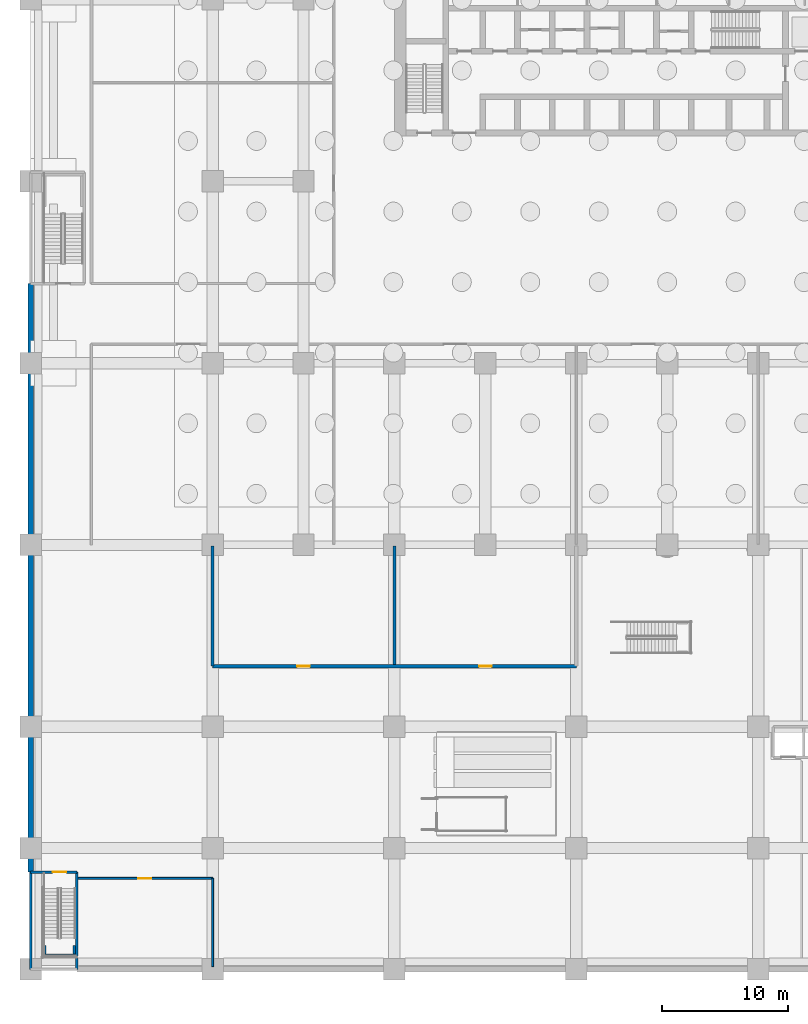
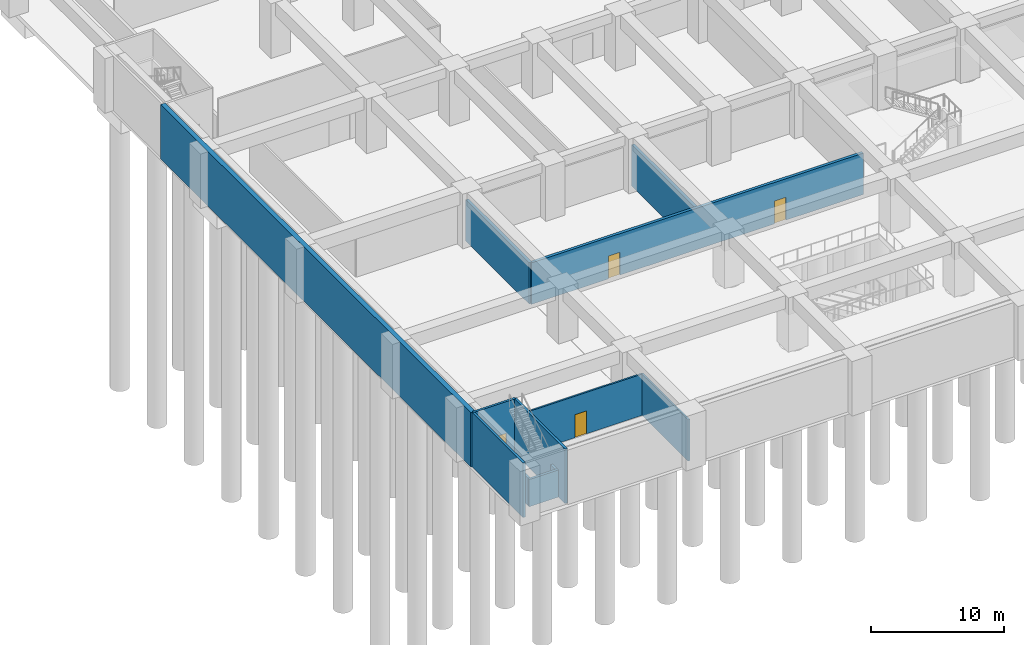
# One storey, part 3 of 20: 12 walls, 4 doors, 4 openings.
"""IFC4 building model written with IfcOpenShell, lengths in metres."""

from ifc_helpers import new_model, si_unit, direction, frame, frame_2d, origin, place, context, subcontext, project, spatial, rectangle, extrude, material, layer, layer_set, type_object, element, fill, save


model = new_model("IFC4")

# Units and contexts
model_context = context("Model", 3, precision=1e-05, world=origin(), true_north=direction((0.0, 1.0)))
body_context = subcontext(model_context, "Body", "Model", "MODEL_VIEW")
ifc_project = project(units=[si_unit("LENGTHUNIT", "METRE"), si_unit("AREAUNIT", "SQUARE_METRE"), si_unit("VOLUMEUNIT", "CUBIC_METRE"), si_unit("PLANEANGLEUNIT", "RADIAN"), si_unit("MASSUNIT", "GRAM", prefix="KILO")], contexts=[model_context])

# Site, building, storey
site_placement = place(None, origin())
site = spatial("IfcSite", under=ifc_project, at=site_placement, CompositionType="ELEMENT")
building_placement = place(site_placement, origin())
building = spatial("IfcBuilding", under=site, at=building_placement, Name="Saffron Iwan Residences", CompositionType="ELEMENT")
storey_placement = place(building_placement, frame((0.0, 0.0, -5.39990234375)))
storey = spatial("IfcBuildingStorey", under=building, at=storey_placement, Name="B1", CompositionType="ELEMENT", Elevation=-5.39990234375)

# Wall
ifc_material_1 = material(Name="Concrete C40/50", Category="concrete")
ifc_layer_1 = layer(ifc_material_1, 0.39990234375)
ifc_layer_set_1 = layer_set([ifc_layer_1], Name="Concrete C40/50")
wall_type_1 = type_object("IfcWallType", Name="Basement wall 400", PredefinedType="SOLIDWALL", material=ifc_layer_set_1)
wall_1_placement = place(storey_placement, frame((0.0, 7.699951171875, 0.0), z_axis=(0.0, 0.0, 1.0), x_axis=(0.0, 1.0, 0.0)))
element("IfcWall", 1, at=wall_1_placement, inside=storey, type_object=wall_type_1, Name="W-B1-024", PredefinedType="SOLIDWALL", context=body_context, shape_type="SweptSolid", body=[
    extrude(rectangle(XDim=46.60009765625, YDim=0.39990234375, at=frame_2d((23.300048828125, 0.0))), origin(), (0.0, 0.0, 1.0), 5.0),
])

# Wall, opening, door
ifc_material_2 = material(Name="Concrete blockwork", Category="masonry")
ifc_layer_2 = layer(ifc_material_2, 0.14990234375)
ifc_layer_set_2 = layer_set([ifc_layer_2], Name="Concrete blockwork")
wall_type_2 = type_object("IfcWallType", Name="Blockwork partition 150", PredefinedType="PARTITIONING", material=ifc_layer_set_2)
wall_2_placement = place(storey_placement, frame((3.75, 7.199951171875, 0.0), z_axis=(0.0, 0.0, 1.0), x_axis=(1.0, 0.0, 0.0)))
wall_2 = element("IfcWall", 2, at=wall_2_placement, inside=storey, type_object=wall_type_2, Name="W-B1-004", PredefinedType="PARTITIONING", context=body_context, shape_type="SweptSolid", body=[
    extrude(rectangle(XDim=10.64990234375, YDim=0.14990234375, at=frame_2d((5.324951171875, 0.0))), origin(), (0.0, 0.0, 1.0), 3.7998046875),
])
opening_1_placement = place(wall_2_placement, frame((4.77490234375, 0.0, 0.0)))
opening_1 = element("IfcOpeningElement", 3, at=opening_1_placement, cuts=wall_2, Name="Opening B1.03", PredefinedType="OPENING", context=body_context, shape_type="SweptSolid", body=[
    extrude(rectangle(XDim=1.0, YDim=2.10009765625, at=frame_2d((0.5, 1.050048828125))), frame((0.0, 0.0849609375, 0.0), z_axis=(0.0, -1.0, 0.0), x_axis=(1.0, 0.0, 0.0)), (0.0, 0.0, 1.0), 0.169921875),
])
ifc_material_3 = material(Name="Steel", Category="steel")
door_type_1 = type_object("IfcDoorType", Name="Fire door 1000x2100", OperationType="NOTDEFINED", PredefinedType="DOOR", material=ifc_material_3)
door_1_placement = place(opening_1_placement, origin())
door_1 = element("IfcDoor", 4, at=door_1_placement, inside=storey, type_object=door_type_1, Name="D-B1-003", OperationType="SINGLE_SWING_LEFT", OverallHeight=2.10009765625, OverallWidth=1.0, PredefinedType="DOOR", context=body_context, shape_type="SweptSolid", body=[
    extrude(rectangle(XDim=1.0, YDim=2.10009765625, at=frame_2d((0.5, 1.050048828125))), frame((0.0, 0.02490234375, 0.0), z_axis=(0.0, -1.0, 0.0), x_axis=(1.0, 0.0, 0.0)), (0.0, 0.0, 1.0), 0.050048828125),
])
fill(opening_1, door_1)

# Wall
wall_3_placement = place(storey_placement, frame((14.39990234375, 0.199951171875, 0.0), z_axis=(0.0, 0.0, 1.0), x_axis=(0.0, 1.0, 0.0)))
element("IfcWall", 5, at=wall_3_placement, inside=storey, type_object=wall_type_2, Name="W-B1-031", PredefinedType="PARTITIONING", context=body_context, shape_type="SweptSolid", body=[
    extrude(rectangle(XDim=7.0, YDim=0.14990234375, at=frame_2d((3.5, 0.0))), origin(), (0.0, 0.0, 1.0), 3.7998046875),
])

# Wall, openings, doors
ifc_layer_3 = layer(ifc_material_1, 0.25)
ifc_layer_set_3 = layer_set([ifc_layer_3], Name="Concrete C40/50")
wall_type_3 = type_object("IfcWallType", Name="Fire compartment wall 250", PredefinedType="SOLIDWALL", material=ifc_layer_set_3)
wall_4_placement = place(storey_placement, frame((14.39990234375, 24.0, 0.0), z_axis=(0.0, 0.0, 1.0), x_axis=(1.0, 0.0, 0.0)))
wall_4 = element("IfcWall", 6, at=wall_4_placement, inside=storey, type_object=wall_type_3, Name="W-B1-010", PredefinedType="SOLIDWALL", context=body_context, shape_type="SweptSolid", body=[
    extrude(rectangle(XDim=28.800048828125, YDim=0.25, at=frame_2d((14.39990234375, 0.0))), origin(), (0.0, 0.0, 1.0), 3.7998046875),
])
opening_2_placement = place(wall_4_placement, frame((6.699951171875, 0.0, 0.0)))
opening_2 = element("IfcOpeningElement", 7, at=opening_2_placement, cuts=wall_4, Name="Opening B1.05", PredefinedType="OPENING", context=body_context, shape_type="SweptSolid", body=[
    extrude(rectangle(XDim=1.0, YDim=2.10009765625, at=frame_2d((0.5, 1.050048828125))), frame((0.0, 0.135009765625, 0.0), z_axis=(0.0, -1.0, 0.0), x_axis=(1.0, 0.0, 0.0)), (0.0, 0.0, 1.0), 0.27001953125),
])
opening_3_placement = place(wall_4_placement, frame((21.10009765625, 0.0, 0.0)))
opening_3 = element("IfcOpeningElement", 8, at=opening_3_placement, cuts=wall_4, Name="Opening B1.06", PredefinedType="OPENING", context=body_context, shape_type="SweptSolid", body=[
    extrude(rectangle(XDim=1.0, YDim=2.10009765625, at=frame_2d((0.5, 1.050048828125))), frame((0.0, 0.135009765625, 0.0), z_axis=(0.0, -1.0, 0.0), x_axis=(1.0, 0.0, 0.0)), (0.0, 0.0, 1.0), 0.27001953125),
])
ifc_material_4 = material(Name="Timber", Category="wood")
door_type_2 = type_object("IfcDoorType", Name="Door 1000x2100", OperationType="NOTDEFINED", PredefinedType="DOOR", material=ifc_material_4)
door_2_placement = place(opening_2_placement, origin())
door_2 = element("IfcDoor", 9, at=door_2_placement, inside=storey, type_object=door_type_2, Name="D-B1-005", OperationType="SINGLE_SWING_LEFT", OverallHeight=2.10009765625, OverallWidth=1.0, PredefinedType="DOOR", context=body_context, shape_type="SweptSolid", body=[
    extrude(rectangle(XDim=1.0, YDim=2.10009765625, at=frame_2d((0.5, 1.050048828125))), frame((0.0, 0.02490234375, 0.0), z_axis=(0.0, -1.0, 0.0), x_axis=(1.0, 0.0, 0.0)), (0.0, 0.0, 1.0), 0.050048828125),
])
fill(opening_2, door_2)
door_3_placement = place(opening_3_placement, origin())
door_3 = element("IfcDoor", 10, at=door_3_placement, inside=storey, type_object=door_type_2, Name="D-B1-006", OperationType="SINGLE_SWING_RIGHT", OverallHeight=2.10009765625, OverallWidth=1.0, PredefinedType="DOOR", context=body_context, shape_type="SweptSolid", body=[
    extrude(rectangle(XDim=1.0, YDim=2.10009765625, at=frame_2d((0.5, 1.050048828125))), frame((0.0, 0.02490234375, 0.0), z_axis=(0.0, -1.0, 0.0), x_axis=(1.0, 0.0, 0.0)), (0.0, 0.0, 1.0), 0.050048828125),
])
fill(opening_3, door_3)

# Walls
wall_5_placement = place(storey_placement, frame((14.39990234375, 24.0, 0.0), z_axis=(0.0, 0.0, 1.0), x_axis=(0.0, 1.0, 0.0)))
element("IfcWall", 11, at=wall_5_placement, inside=storey, type_object=wall_type_3, Name="W-B1-032", PredefinedType="SOLIDWALL", context=body_context, shape_type="SweptSolid", body=[
    extrude(rectangle(XDim=9.52490234375, YDim=0.25, at=frame_2d((4.762451171875, 0.0))), origin(), (0.0, 0.0, 1.0), 3.7998046875),
])
wall_6_placement = place(storey_placement, frame((28.800048828125, 24.125, 0.0), z_axis=(0.0, 0.0, 1.0), x_axis=(0.0, 1.0, 0.0)))
element("IfcWall", 12, at=wall_6_placement, inside=storey, type_object=wall_type_3, Name="W-B1-035", PredefinedType="SOLIDWALL", context=body_context, shape_type="SweptSolid", body=[
    extrude(rectangle(XDim=9.39990234375, YDim=0.25, at=frame_2d((4.699951171875, 0.0))), origin(), (0.0, 0.0, 1.0), 3.7998046875),
])
ifc_layer_4 = layer(ifc_material_1, 0.199951171875)
ifc_layer_set_4 = layer_set([ifc_layer_4], Name="Concrete C40/50")
wall_type_4 = type_object("IfcWallType", Name="Landing support wall, reinforced concrete 200", PredefinedType="SOLIDWALL", material=ifc_layer_set_4)
for number, where, z_axis, x_axis, name in (
    (13, (1.10009765625, 1.199951171875, 0.0), (0.0, 0.0, 1.0), (0.0, 1.0, 0.0), "SE1 landing support wall"),
    (14, (3.449951171875, 1.199951171875, 0.0), (0.0, 0.0, 1.0), (0.0, 1.0, 0.0), "SE1 landing support wall"),
):
    element("IfcWall", number, at=place(storey_placement, frame(where, z_axis=z_axis, x_axis=x_axis)), inside=storey, type_object=wall_type_4, Name=name, PredefinedType="SOLIDWALL", context=body_context, shape_type="SweptSolid", body=[
        extrude(rectangle(XDim=0.679931640625, YDim=0.199951171875, at=frame_2d((0.33984375, 0.0))), origin(), (0.0, 0.0, 1.0), 2.5),
    ])
wall_7_placement = place(storey_placement, frame((1.0, 1.10009765625, 0.0), z_axis=(0.0, 0.0, 1.0), x_axis=(1.0, 0.0, 0.0)))
element("IfcWall", 15, at=wall_7_placement, inside=storey, type_object=wall_type_4, Name="SE1 landing support wall", PredefinedType="SOLIDWALL", context=body_context, shape_type="SweptSolid", body=[
    extrude(rectangle(XDim=2.550048828125, YDim=0.199951171875, at=frame_2d((1.27490234375, 0.0))), origin(), (0.0, 0.0, 1.0), 2.5),
])

# Wall, opening, door
ifc_layer_5 = layer(ifc_material_1, 0.199951171875)
ifc_layer_set_5 = layer_set([ifc_layer_5], Name="Concrete C40/50")
wall_type_5 = type_object("IfcWallType", Name="Reinforced concrete stair wall 200", PredefinedType="SOLIDWALL", material=ifc_layer_set_5)
wall_8_placement = place(storey_placement, frame((0.0, 7.699951171875, 0.0), z_axis=(0.0, 0.0, 1.0), x_axis=(1.0, 0.0, 0.0)))
wall_8 = element("IfcWall", 16, at=wall_8_placement, inside=storey, type_object=wall_type_5, Name="W-B1-006", PredefinedType="SOLIDWALL", context=body_context, shape_type="SweptSolid", body=[
    extrude(rectangle(XDim=3.64990234375, YDim=0.199951171875, at=frame_2d((1.824951171875, 0.0))), origin(), (0.0, 0.0, 1.0), 5.0),
])
opening_4_placement = place(wall_8_placement, frame((1.72509765625, 0.0, 0.0)))
opening_4 = element("IfcOpeningElement", 17, at=opening_4_placement, cuts=wall_8, Name="Opening B1.21", PredefinedType="OPENING", context=body_context, shape_type="SweptSolid", body=[
    extrude(rectangle(XDim=1.10009765625, YDim=2.10009765625, at=frame_2d((0.550048828125, 1.050048828125))), frame((0.0, 0.10986328125, 0.0), z_axis=(0.0, -1.0, 0.0), x_axis=(1.0, 0.0, 0.0)), (0.0, 0.0, 1.0), 0.219970703125),
])
door_type_3 = type_object("IfcDoorType", Name="Fire door 1100x2100", OperationType="NOTDEFINED", PredefinedType="DOOR", material=ifc_material_3)
door_4_placement = place(opening_4_placement, origin())
door_4 = element("IfcDoor", 18, at=door_4_placement, inside=storey, type_object=door_type_3, Name="D-B1-021", OperationType="SINGLE_SWING_RIGHT", OverallHeight=2.10009765625, OverallWidth=1.10009765625, PredefinedType="DOOR", context=body_context, shape_type="SweptSolid", body=[
    extrude(rectangle(XDim=1.10009765625, YDim=2.10009765625, at=frame_2d((0.550048828125, 1.050048828125))), frame((0.0, 0.02490234375, 0.0), z_axis=(0.0, -1.0, 0.0), x_axis=(1.0, 0.0, 0.0)), (0.0, 0.0, 1.0), 0.050048828125),
])
fill(opening_4, door_4)

# Walls
for number, where, z_axis, x_axis, name in (
    (19, (0.0, 0.0, 0.0), (0.0, 0.0, 1.0), (0.0, 1.0, 0.0), "W-B1-025"),
    (20, (3.64990234375, 0.0, 0.0), (0.0, 0.0, 1.0), (0.0, 1.0, 0.0), "W-B1-027"),
):
    element("IfcWall", number, at=place(storey_placement, frame(where, z_axis=z_axis, x_axis=x_axis)), inside=storey, type_object=wall_type_5, Name=name, PredefinedType="SOLIDWALL", context=body_context, shape_type="SweptSolid", body=[
        extrude(rectangle(XDim=7.699951171875, YDim=0.199951171875, at=frame_2d((3.85009765625, 0.0))), origin(), (0.0, 0.0, 1.0), 5.0),
    ])

save(model, "model.ifc")
